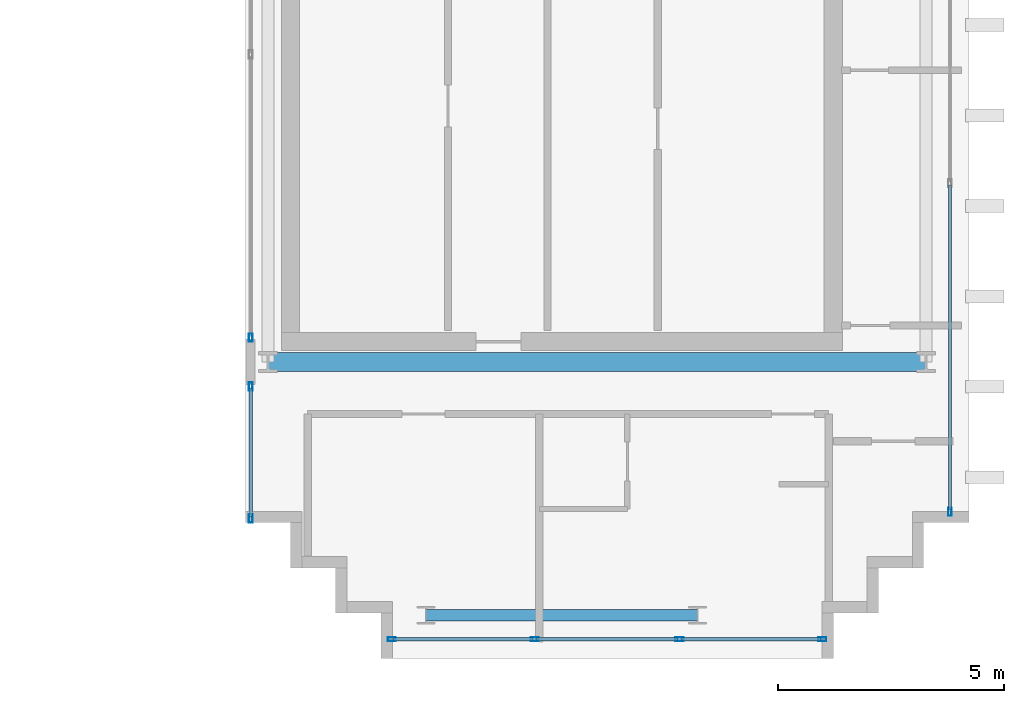
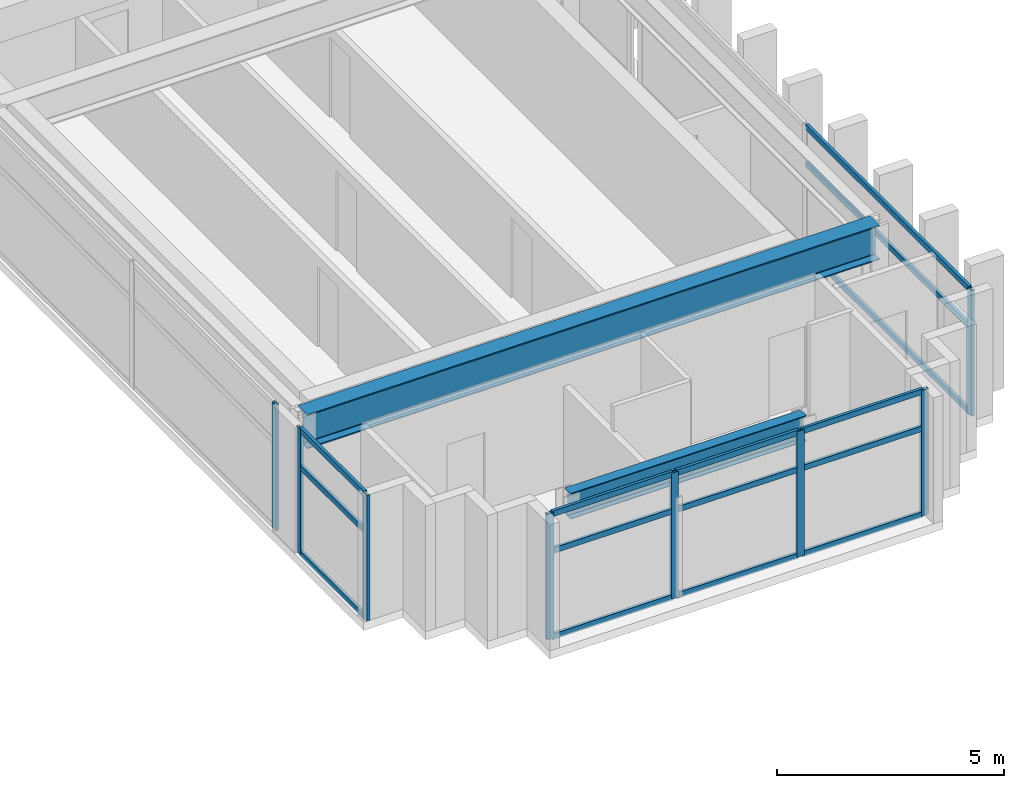
# One storey, part 8 of 25: 23 members, 2 beams, 4 elements without a shape of their own.
"""IFC4 building model written with IfcOpenShell, lengths in metres."""

from ifc_helpers import new_model, si_unit, direction, frame, origin, origin_2d, place, context, subcontext, project, spatial, hollow_rectangle, i_section, extrude, source, transform, mapped, material, layer, layer_set, material_profile, profile_set, type_object, element, aggregate, save


model = new_model("IFC4")

# Units and contexts
model_context = context("Model", 3, precision=1e-05, world=origin(), true_north=direction((0.0, 1.0)))
body_context = subcontext(model_context, "Body", "Model", "MODEL_VIEW")
ifc_project = project(units=[si_unit("LENGTHUNIT", "METRE"), si_unit("AREAUNIT", "SQUARE_METRE"), si_unit("VOLUMEUNIT", "CUBIC_METRE"), si_unit("PLANEANGLEUNIT", "RADIAN"), si_unit("MASSUNIT", "GRAM", prefix="KILO")], contexts=[model_context])

# Site, building, storey
site_placement = place(None, origin())
site = spatial("IfcSite", under=ifc_project, at=site_placement, CompositionType="ELEMENT")
building_placement = place(site_placement, origin())
building = spatial("IfcBuilding", under=site, at=building_placement, Name="Ocotamira Hotel", CompositionType="ELEMENT")
storey_placement = place(building_placement, frame((0.0, 0.0, 258.0)))
storey = spatial("IfcBuildingStorey", under=building, at=storey_placement, Name="L65", CompositionType="ELEMENT", Elevation=258.0)

# Beams
ifc_material_1 = material(Name="Steel ASTM A992 Grade 50", Category="steel")
ifc_material_profile_1 = material_profile(ifc_material_1, i_section(OverallWidth=0.41796875, OverallDepth=0.927001953125, WebThickness=0.019287109375, FlangeThickness=0.031982421875, FilletRadius=0.02392578125, at=origin_2d()), Name="W36X231")
ifc_profile_set_1 = profile_set([ifc_material_profile_1], Name="Steel ASTM A992 Grade 50")
beam_type_1 = type_object("IfcBeamType", Name="BM-GIRD-W36X231", PredefinedType="BEAM", material=ifc_profile_set_1)
shared_shape_1 = source(origin(), body_context, "Body", "SweptSolid", [
    extrude(i_section(OverallWidth=0.41796875, OverallDepth=0.927001953125, WebThickness=0.019287109375, FlangeThickness=0.031982421875, FilletRadius=0.02392578125, at=origin_2d()), origin(), (0.0, 0.0, 1.0), 14.550048828125),
])
beam_1_placement = place(storey_placement, frame((40.5, 14.550048828125, 2.91650390625), z_axis=(1.0, 0.0, 0.0), x_axis=(0.0, 1.0, 0.0)))
element("IfcBeam", 1, at=beam_1_placement, inside=storey, type_object=beam_type_1, Name="L65 Girder Y14.55 X40.5-55.05", PredefinedType="BEAM", context=body_context, shape_type="MappedRepresentation", body=[
    mapped(shared_shape_1, transform((0.0, 0.0, 0.0), scale=1.0)),
])
ifc_material_profile_2 = material_profile(ifc_material_1, i_section(OverallWidth=0.256103515625, OverallDepth=0.693115234375, WebThickness=0.014404296875, FlangeThickness=0.023681640625, FilletRadius=0.01611328125, at=origin_2d()), Name="W27X114")
ifc_profile_set_2 = profile_set([ifc_material_profile_2], Name="Steel ASTM A992 Grade 50")
beam_type_2 = type_object("IfcBeamType", Name="BM-PRIM-W27X114", PredefinedType="BEAM", material=ifc_profile_set_2)
shared_shape_2 = source(origin(), body_context, "Body", "SweptSolid", [
    extrude(i_section(OverallWidth=0.256103515625, OverallDepth=0.693115234375, WebThickness=0.014404296875, FlangeThickness=0.023681640625, FilletRadius=0.01611328125, at=origin_2d()), origin(), (0.0, 0.0, 1.0), 6.0),
])
beam_2_placement = place(storey_placement, frame((44.0, 8.949951171875, 3.033447265625), z_axis=(1.0, 0.0, 0.0), x_axis=(0.0, 1.0, 0.0)))
element("IfcBeam", 2, at=beam_2_placement, inside=storey, type_object=beam_type_2, Name="L65 Girder Y8.95 X44-50", PredefinedType="BEAM", context=body_context, shape_type="MappedRepresentation", body=[
    mapped(shared_shape_2, transform((0.0, 0.0, 0.0), scale=1.0)),
])

# Curtain wall, members
ifc_material_2 = material(Name="Anodised pale-metal aluminium and solar glass", Category="aluminium")
ifc_layer = layer(ifc_material_2, 0.2099609375)
ifc_layer_set = layer_set([ifc_layer], Name="Anodised pale-metal aluminium and solar glass")
curtain_wall_type = type_object("IfcCurtainWallType", Name="CW-SYS7-PEAK", PredefinedType="NOTDEFINED", material=ifc_layer_set)
curtain_wall_1_placement = place(storey_placement, origin())
curtain_wall_1 = element("IfcCurtainWall", 3, at=curtain_wall_1_placement, inside=storey, type_object=curtain_wall_type, Name="L65 Curtain Wall CW-7 CW-L65-ES", PredefinedType="NOTDEFINED")
ifc_material_3 = material(Name="Anodised pale-metal aluminium 6063-T6", Category="aluminium")
ifc_material_profile_3 = material_profile(ifc_material_3, hollow_rectangle(XDim=0.080078125, YDim=0.179931640625, WallThickness=0.006103515625, at=origin_2d()), Name="HSS180X80X6")
ifc_profile_set_3 = profile_set([ifc_material_profile_3], Name="Anodised pale-metal aluminium 6063-T6")
member_type_1 = type_object("IfcMemberType", Name="CWM-180X75", PredefinedType="MULLION", material=ifc_profile_set_3)
shared_shape_3 = source(origin(), body_context, "Body", "SweptSolid", [
    extrude(hollow_rectangle(XDim=0.080078125, YDim=0.179931640625, WallThickness=0.006103515625, at=origin_2d()), origin(), (0.0, 0.0, 1.0), 3.3798828125),
])
member_1_placement = place(storey_placement, frame((43.239990234375, 8.419921875, 0.0), z_axis=(0.0, 0.0, 1.0), x_axis=(0.0, 1.0, 0.0)))
member_1 = element("IfcMember", 4, at=member_1_placement, type_object=member_type_1, Name="CW-7 mullion 1", PredefinedType="MULLION", context=body_context, shape_type="MappedRepresentation", body=[
    mapped(shared_shape_3, transform((0.0, 0.0, 0.0), scale=1.0)),
])
member_2_placement = place(storey_placement, frame((46.39990234375, 8.419921875, 0.0), z_axis=(0.0, 0.0, 1.0), x_axis=(0.0, 1.0, 0.0)))
member_2 = element("IfcMember", 5, at=member_2_placement, type_object=member_type_1, Name="CW-7 mullion 2", PredefinedType="MULLION", context=body_context, shape_type="MappedRepresentation", body=[
    mapped(shared_shape_3, transform((0.0, 0.0, 0.0), scale=1.0)),
])
member_3_placement = place(storey_placement, frame((49.60009765625, 8.419921875, 0.0), z_axis=(0.0, 0.0, 1.0), x_axis=(0.0, 1.0, 0.0)))
member_3 = element("IfcMember", 6, at=member_3_placement, type_object=member_type_1, Name="CW-7 mullion 3", PredefinedType="MULLION", context=body_context, shape_type="MappedRepresentation", body=[
    mapped(shared_shape_3, transform((0.0, 0.0, 0.0), scale=1.0)),
])
member_4_placement = place(storey_placement, frame((52.760009765625, 8.419921875, 0.0), z_axis=(0.0, 0.0, 1.0), x_axis=(0.0, 1.0, 0.0)))
member_4 = element("IfcMember", 7, at=member_4_placement, type_object=member_type_1, Name="CW-7 mullion 4", PredefinedType="MULLION", context=body_context, shape_type="MappedRepresentation", body=[
    mapped(shared_shape_3, transform((0.0, 0.0, 0.0), scale=1.0)),
])

# Curtain wall, member
curtain_wall_2_placement = place(storey_placement, origin())
curtain_wall_2 = element("IfcCurtainWall", 8, at=curtain_wall_2_placement, inside=storey, type_object=curtain_wall_type, Name="L65 Curtain Wall CW-7 CW-L65-EO1", PredefinedType="NOTDEFINED")
member_5_placement = place(storey_placement, frame((55.580078125, 11.239990234375, 0.0), z_axis=(0.0, 0.0, 1.0), x_axis=(-1.0, 0.0, 0.0)))
member_5 = element("IfcMember", 9, at=member_5_placement, type_object=member_type_1, Name="CW-7 mullion 1", PredefinedType="MULLION", context=body_context, shape_type="MappedRepresentation", body=[
    mapped(shared_shape_3, transform((0.0, 0.0, 0.0), scale=1.0)),
])

# Curtain wall, members
curtain_wall_3_placement = place(storey_placement, origin())
curtain_wall_3 = element("IfcCurtainWall", 10, at=curtain_wall_3_placement, inside=storey, type_object=curtain_wall_type, Name="L65 Curtain Wall CW-7 CW-L65-EI1", PredefinedType="NOTDEFINED")
member_6_placement = place(storey_placement, frame((40.1201171875, 11.090087890625, 0.0), z_axis=(0.0, 0.0, 1.0), x_axis=(-1.0, 0.0, 0.0)))
member_6 = element("IfcMember", 11, at=member_6_placement, type_object=member_type_1, Name="CW-7 mullion 1", PredefinedType="MULLION", context=body_context, shape_type="MappedRepresentation", body=[
    mapped(shared_shape_3, transform((0.0, 0.0, 0.0), scale=1.0)),
])
member_7_placement = place(storey_placement, frame((40.1201171875, 14.010009765625, 0.0), z_axis=(0.0, 0.0, 1.0), x_axis=(-1.0, 0.0, 0.0)))
member_7 = element("IfcMember", 12, at=member_7_placement, type_object=member_type_1, Name="CW-7 mullion 2", PredefinedType="MULLION", context=body_context, shape_type="MappedRepresentation", body=[
    mapped(shared_shape_3, transform((0.0, 0.0, 0.0), scale=1.0)),
])

# Curtain wall, member
curtain_wall_4_placement = place(storey_placement, origin())
curtain_wall_4 = element("IfcCurtainWall", 13, at=curtain_wall_4_placement, inside=storey, type_object=curtain_wall_type, Name="L65 Curtain Wall CW-7 CW-L65-EI2", PredefinedType="NOTDEFINED")
member_8_placement = place(storey_placement, frame((40.1201171875, 15.090087890625, 0.0), z_axis=(0.0, 0.0, 1.0), x_axis=(-1.0, 0.0, 0.0)))
member_8 = element("IfcMember", 14, at=member_8_placement, type_object=member_type_1, Name="CW-7 mullion 1", PredefinedType="MULLION", context=body_context, shape_type="MappedRepresentation", body=[
    mapped(shared_shape_3, transform((0.0, 0.0, 0.0), scale=1.0)),
])
aggregate(curtain_wall_4, [member_8])

# Member
ifc_material_profile_4 = material_profile(ifc_material_3, hollow_rectangle(XDim=0.074951171875, YDim=0.14990234375, WallThickness=0.006103515625, at=origin_2d()), Name="HSS150X75X6")
ifc_profile_set_4 = profile_set([ifc_material_profile_4], Name="Anodised pale-metal aluminium 6063-T6")
member_type_2 = type_object("IfcMemberType", Name="CWT-150X75", PredefinedType="USERDEFINED", material=ifc_profile_set_4)
shared_shape_4 = source(origin(), body_context, "Body", "SweptSolid", [
    extrude(hollow_rectangle(XDim=0.074951171875, YDim=0.14990234375, WallThickness=0.006103515625, at=origin_2d()), origin(), (0.0, 0.0, 1.0), 3.080078125),
])
member_9_placement = place(storey_placement, frame((43.280029296875, 8.419921875, 0.03759765625), z_axis=(1.0, 0.0, 0.0), x_axis=(0.0, 1.0, 0.0)))
member_9 = element("IfcMember", 15, at=member_9_placement, type_object=member_type_2, Name="CW-7 transom 1.1", ObjectType="TRANSOM", PredefinedType="USERDEFINED", context=body_context, shape_type="MappedRepresentation", body=[
    mapped(shared_shape_4, transform((0.0, 0.0, 0.0), scale=1.0)),
])

member_10_placement = place(storey_placement, frame((43.280029296875, 8.419921875, 2.35009765625), z_axis=(1.0, 0.0, 0.0), x_axis=(0.0, 1.0, 0.0)))
member_10 = element("IfcMember", 16, at=member_10_placement, type_object=member_type_2, Name="CW-7 transom 1.2", ObjectType="TRANSOM", PredefinedType="USERDEFINED", context=body_context, shape_type="MappedRepresentation", body=[
    mapped(shared_shape_4, transform((0.0, 0.0, 0.0), scale=1.0)),
])

member_11_placement = place(storey_placement, frame((43.280029296875, 8.419921875, 3.342529296875), z_axis=(1.0, 0.0, 0.0), x_axis=(0.0, 1.0, 0.0)))
member_11 = element("IfcMember", 17, at=member_11_placement, type_object=member_type_2, Name="CW-7 transom 1.3", ObjectType="TRANSOM", PredefinedType="USERDEFINED", context=body_context, shape_type="MappedRepresentation", body=[
    mapped(shared_shape_4, transform((0.0, 0.0, 0.0), scale=1.0)),
])

member_12_placement = place(storey_placement, frame((49.639892578125, 8.419921875, 0.03759765625), z_axis=(1.0, 0.0, 0.0), x_axis=(0.0, 1.0, 0.0)))
member_12 = element("IfcMember", 18, at=member_12_placement, type_object=member_type_2, Name="CW-7 transom 3.1", ObjectType="TRANSOM", PredefinedType="USERDEFINED", context=body_context, shape_type="MappedRepresentation", body=[
    mapped(shared_shape_4, transform((0.0, 0.0, 0.0), scale=1.0)),
])

member_13_placement = place(storey_placement, frame((49.639892578125, 8.419921875, 2.35009765625), z_axis=(1.0, 0.0, 0.0), x_axis=(0.0, 1.0, 0.0)))
member_13 = element("IfcMember", 19, at=member_13_placement, type_object=member_type_2, Name="CW-7 transom 3.2", ObjectType="TRANSOM", PredefinedType="USERDEFINED", context=body_context, shape_type="MappedRepresentation", body=[
    mapped(shared_shape_4, transform((0.0, 0.0, 0.0), scale=1.0)),
])

member_14_placement = place(storey_placement, frame((49.639892578125, 8.419921875, 3.342529296875), z_axis=(1.0, 0.0, 0.0), x_axis=(0.0, 1.0, 0.0)))
member_14 = element("IfcMember", 20, at=member_14_placement, type_object=member_type_2, Name="CW-7 transom 3.3", ObjectType="TRANSOM", PredefinedType="USERDEFINED", context=body_context, shape_type="MappedRepresentation", body=[
    mapped(shared_shape_4, transform((0.0, 0.0, 0.0), scale=1.0)),
])

shared_shape_5 = source(origin(), body_context, "Body", "SweptSolid", [
    extrude(hollow_rectangle(XDim=0.074951171875, YDim=0.14990234375, WallThickness=0.006103515625, at=origin_2d()), origin(), (0.0, 0.0, 1.0), 3.1201171875),
])
member_15_placement = place(storey_placement, frame((46.43994140625, 8.419921875, 0.03759765625), z_axis=(1.0, 0.0, 0.0), x_axis=(0.0, 1.0, 0.0)))
member_15 = element("IfcMember", 21, at=member_15_placement, type_object=member_type_2, Name="CW-7 transom 2.1", ObjectType="TRANSOM", PredefinedType="USERDEFINED", context=body_context, shape_type="MappedRepresentation", body=[
    mapped(shared_shape_5, transform((0.0, 0.0, 0.0), scale=1.0)),
])

member_16_placement = place(storey_placement, frame((46.43994140625, 8.419921875, 2.35009765625), z_axis=(1.0, 0.0, 0.0), x_axis=(0.0, 1.0, 0.0)))
member_16 = element("IfcMember", 22, at=member_16_placement, type_object=member_type_2, Name="CW-7 transom 2.2", ObjectType="TRANSOM", PredefinedType="USERDEFINED", context=body_context, shape_type="MappedRepresentation", body=[
    mapped(shared_shape_5, transform((0.0, 0.0, 0.0), scale=1.0)),
])

member_17_placement = place(storey_placement, frame((46.43994140625, 8.419921875, 3.342529296875), z_axis=(1.0, 0.0, 0.0), x_axis=(0.0, 1.0, 0.0)))
member_17 = element("IfcMember", 23, at=member_17_placement, type_object=member_type_2, Name="CW-7 transom 2.3", ObjectType="TRANSOM", PredefinedType="USERDEFINED", context=body_context, shape_type="MappedRepresentation", body=[
    mapped(shared_shape_5, transform((0.0, 0.0, 0.0), scale=1.0)),
])

aggregate(curtain_wall_1, [member_1, member_2, member_3, member_4, member_9, member_10, member_11, member_15, member_16, member_17, member_12, member_13, member_14])

shared_shape_6 = source(origin(), body_context, "Body", "SweptSolid", [
    extrude(hollow_rectangle(XDim=0.074951171875, YDim=0.14990234375, WallThickness=0.006103515625, at=origin_2d()), origin(), (0.0, 0.0, 1.0), 7.179931640625),
])
member_18_placement = place(storey_placement, frame((55.580078125, 11.280029296875, 0.03759765625), z_axis=(0.0, 1.0, 0.0), x_axis=(-1.0, 0.0, 0.0)))
member_18 = element("IfcMember", 24, at=member_18_placement, type_object=member_type_2, Name="CW-7 transom 1.1", ObjectType="TRANSOM", PredefinedType="USERDEFINED", context=body_context, shape_type="MappedRepresentation", body=[
    mapped(shared_shape_6, transform((0.0, 0.0, 0.0), scale=1.0)),
])

member_19_placement = place(storey_placement, frame((55.580078125, 11.280029296875, 2.35009765625), z_axis=(0.0, 1.0, 0.0), x_axis=(-1.0, 0.0, 0.0)))
member_19 = element("IfcMember", 25, at=member_19_placement, type_object=member_type_2, Name="CW-7 transom 1.2", ObjectType="TRANSOM", PredefinedType="USERDEFINED", context=body_context, shape_type="MappedRepresentation", body=[
    mapped(shared_shape_6, transform((0.0, 0.0, 0.0), scale=1.0)),
])

member_20_placement = place(storey_placement, frame((55.580078125, 11.280029296875, 3.342529296875), z_axis=(0.0, 1.0, 0.0), x_axis=(-1.0, 0.0, 0.0)))
member_20 = element("IfcMember", 26, at=member_20_placement, type_object=member_type_2, Name="CW-7 transom 1.3", ObjectType="TRANSOM", PredefinedType="USERDEFINED", context=body_context, shape_type="MappedRepresentation", body=[
    mapped(shared_shape_6, transform((0.0, 0.0, 0.0), scale=1.0)),
])

aggregate(curtain_wall_2, [member_5, member_18, member_19, member_20])

shared_shape_7 = source(origin(), body_context, "Body", "SweptSolid", [
    extrude(hollow_rectangle(XDim=0.074951171875, YDim=0.14990234375, WallThickness=0.006103515625, at=origin_2d()), origin(), (0.0, 0.0, 1.0), 2.840087890625),
])
member_21_placement = place(storey_placement, frame((40.1201171875, 11.1298828125, 0.03759765625), z_axis=(0.0, 1.0, 0.0), x_axis=(-1.0, 0.0, 0.0)))
member_21 = element("IfcMember", 27, at=member_21_placement, type_object=member_type_2, Name="CW-7 transom 1.1", ObjectType="TRANSOM", PredefinedType="USERDEFINED", context=body_context, shape_type="MappedRepresentation", body=[
    mapped(shared_shape_7, transform((0.0, 0.0, 0.0), scale=1.0)),
])

member_22_placement = place(storey_placement, frame((40.1201171875, 11.1298828125, 2.35009765625), z_axis=(0.0, 1.0, 0.0), x_axis=(-1.0, 0.0, 0.0)))
member_22 = element("IfcMember", 28, at=member_22_placement, type_object=member_type_2, Name="CW-7 transom 1.2", ObjectType="TRANSOM", PredefinedType="USERDEFINED", context=body_context, shape_type="MappedRepresentation", body=[
    mapped(shared_shape_7, transform((0.0, 0.0, 0.0), scale=1.0)),
])

member_23_placement = place(storey_placement, frame((40.1201171875, 11.1298828125, 3.342529296875), z_axis=(0.0, 1.0, 0.0), x_axis=(-1.0, 0.0, 0.0)))
member_23 = element("IfcMember", 29, at=member_23_placement, type_object=member_type_2, Name="CW-7 transom 1.3", ObjectType="TRANSOM", PredefinedType="USERDEFINED", context=body_context, shape_type="MappedRepresentation", body=[
    mapped(shared_shape_7, transform((0.0, 0.0, 0.0), scale=1.0)),
])

aggregate(curtain_wall_3, [member_6, member_7, member_21, member_22, member_23])

save(model, "model.ifc")
